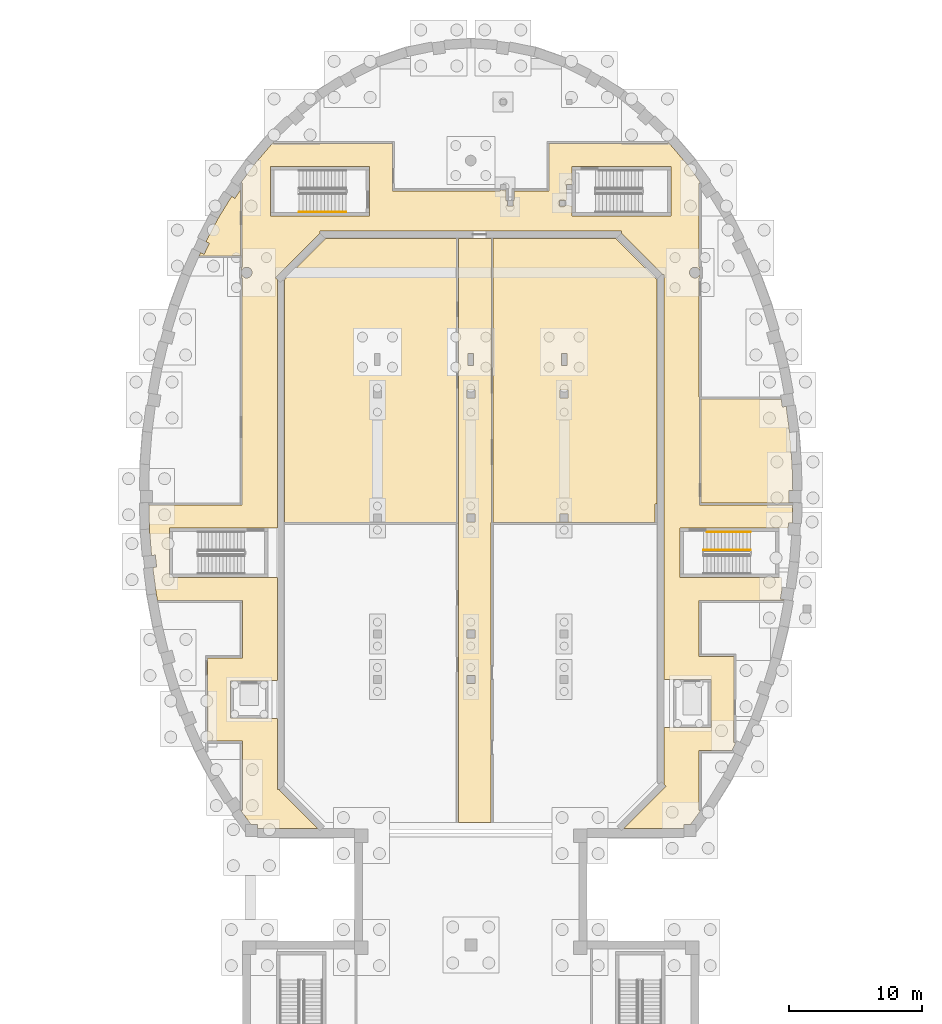
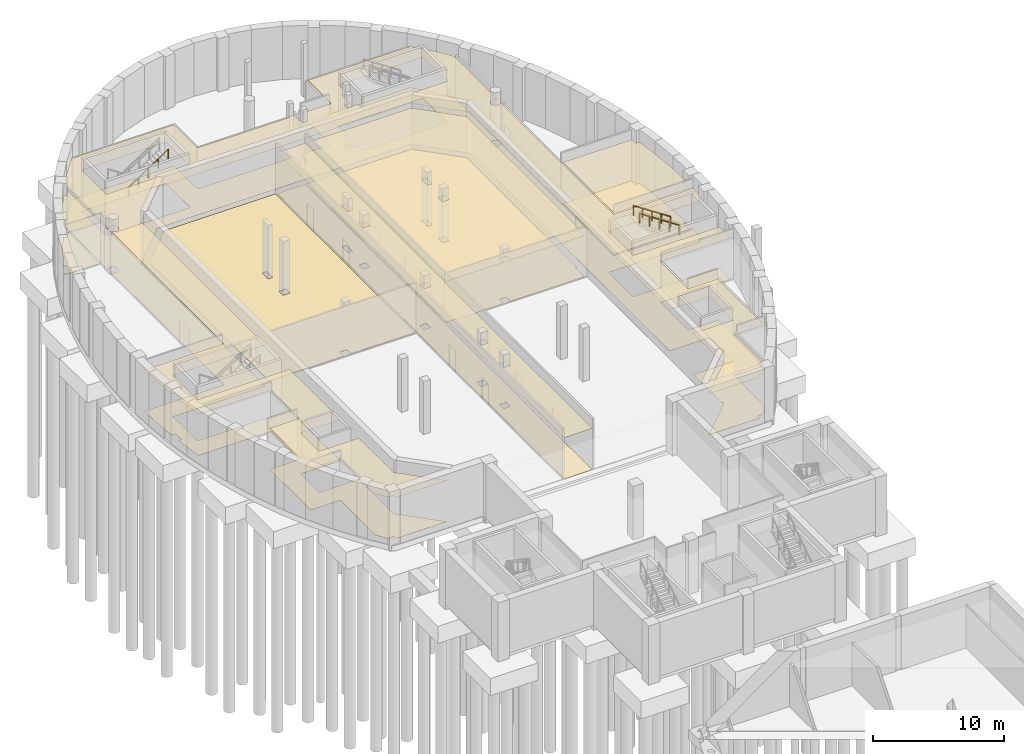
# One storey, part 30 of 33: 11 coverings, 3 railings.
"""IFC4 building model written with IfcOpenShell, lengths in metres."""

from ifc_helpers import new_model, si_unit, direction, frame, origin, origin_2d, place, context, subcontext, project, spatial, polyline, circle, outline, extrude, material, layer, layer_set, type_object, element, save


model = new_model("IFC4")

# Units and contexts
model_context = context("Model", 3, precision=1e-05, world=origin(), true_north=direction((0.0, 1.0)))
body_context = subcontext(model_context, "Body", "Model", "MODEL_VIEW")
ifc_project = project(units=[si_unit("LENGTHUNIT", "METRE"), si_unit("AREAUNIT", "SQUARE_METRE"), si_unit("VOLUMEUNIT", "CUBIC_METRE"), si_unit("PLANEANGLEUNIT", "RADIAN"), si_unit("MASSUNIT", "GRAM", prefix="KILO")], contexts=[model_context])

# Site, building, storey
site_placement = place(None, origin())
site = spatial("IfcSite", under=ifc_project, at=site_placement, CompositionType="ELEMENT")
building_placement = place(site_placement, origin())
building = spatial("IfcBuilding", under=site, at=building_placement, Name="Larchfold Concert Hall", CompositionType="ELEMENT")
storey_placement = place(building_placement, frame((0.0, 0.0, -5.0)))
storey = spatial("IfcBuildingStorey", under=building, at=storey_placement, Name="B1", CompositionType="ELEMENT", Elevation=-5.0)

# Coverings
ifc_material_1 = material(Name="Mineral fibre ceiling tile")
ifc_layer_1 = layer(ifc_material_1, 0.02001953125)
ifc_layer_set_1 = layer_set([ifc_layer_1], Name="Mineral fibre ceiling tile")
covering_type_1 = type_object("IfcCoveringType", Name="Ceiling mineral fibre tile 20", PredefinedType="CEILING", material=ifc_layer_set_1)
covering_1_placement = place(storey_placement, frame((0.0, 0.0, 3.830078125)))
element("IfcCovering", 1, at=covering_1_placement, inside=storey, type_object=covering_type_1, Name="Ceiling Hall Service Spine", PredefinedType="CEILING", context=body_context, shape_type="SweptSolid", body=[
    extrude(outline(polyline([(41.675048828125, 60.199951171875), (44.125, 60.199951171875), (44.125, 82.675048828125), (44.137451171875, 82.675048828125), (44.137451171875, 103.949951171875), (41.675048828125, 103.949951171875), (41.675048828125, 60.199951171875)]), holes=[polyline([(42.300048828125, 71.199951171875), (42.900146484375, 71.199951171875), (42.900146484375, 70.599853515625), (42.300048828125, 70.599853515625), (42.300048828125, 71.199951171875)]), polyline([(42.300048828125, 74.60009765625), (42.900146484375, 74.60009765625), (42.900146484375, 74.0), (42.300048828125, 74.0), (42.300048828125, 74.60009765625)]), polyline([(42.300048828125, 83.300048828125), (42.900146484375, 83.300048828125), (42.900146484375, 82.699951171875), (42.300048828125, 82.699951171875), (42.300048828125, 83.300048828125)]), polyline([(42.300048828125, 92.60009765625), (42.900146484375, 92.60009765625), (42.900146484375, 92.0), (42.300048828125, 92.0), (42.300048828125, 92.60009765625)]), polyline([(42.400146484375, 95.349853515625), (42.800048828125, 95.349853515625), (42.800048828125, 94.449951171875), (42.400146484375, 94.449951171875), (42.400146484375, 95.349853515625)])]), origin(), (0.0, 0.0, 1.0), 0.02001953125),
])
covering_2_placement = place(storey_placement, frame((0.0, 0.0, 3.830078125)))
element("IfcCovering", 2, at=covering_2_placement, inside=storey, type_object=covering_type_1, Name="Ceiling Public Toilets 02", PredefinedType="CEILING", context=body_context, shape_type="SweptSolid", body=[
    extrude(outline(polyline([(65.865478515625, 91.925048828125), (59.862548828125, 91.925048828125), (59.862548828125, 84.112548828125), (66.736083984375, 84.112548828125), (66.736083984375, 84.06591796875), (66.73828125, 84.150146484375), (66.4501953125, 84.150146484375), (66.4501953125, 85.050048828125), (66.73828125, 85.050048828125), (66.687744140625, 87.015625), (66.500244140625, 89.42431640625), (66.24560546875, 91.3720703125), (65.961181640625, 91.3271484375), (65.865478515625, 91.93310546875), (65.865478515625, 91.925048828125)])), origin(), (0.0, 0.0, 1.0), 0.02001953125),
])
covering_3_placement = place(storey_placement, frame((0.0, 0.0, 3.830078125)))
element("IfcCovering", 3, at=covering_3_placement, inside=storey, type_object=covering_type_1, Name="Ceiling Public Toilets", PredefinedType="CEILING", context=body_context, shape_type="SweptSolid", body=[
    extrude(outline(polyline([(25.33740234375, 102.650146484375), (25.33740234375, 107.599853515625), (24.912841796875, 106.963623046875), (24.67724609375, 107.120849609375), (23.65283203125, 105.456298828125), (22.74365234375, 103.716552734375), (23.000244140625, 103.59326171875), (22.6103515625, 102.781982421875), (22.353271484375, 102.905517578125), (22.240234375, 102.650146484375), (25.33740234375, 102.650146484375)])), origin(), (0.0, 0.0, 1.0), 0.02001953125),
])
covering_4_placement = place(storey_placement, frame((0.0, 0.0, 3.830078125)))
element("IfcCovering", 4, at=covering_4_placement, inside=storey, type_object=covering_type_1, Name="Ceiling Service Corridor 01", PredefinedType="CEILING", context=body_context, shape_type="SweptSolid", body=[
    extrude(outline(polyline([(22.801025390625, 72.525146484375), (22.875, 72.52490234375), (22.875, 66.27490234375), (25.47509765625, 66.27490234375), (25.474853515625, 61.3984375), (25.4970703125, 61.36572265625), (25.474853515625, 61.350830078125), (25.474853515625, 61.110107421875), (25.39990234375, 61.110107421875), (25.39990234375, 61.02099609375), (26.11083984375, 60.0498046875), (26.60302734375, 60.0498046875), (26.60302734375, 59.75), (31.096435546875, 59.75), (28.24609375, 62.600341796875), (28.29443359375, 62.648681640625), (28.10009765625, 62.648681640625), (28.10009765625, 67.991943359375), (24.60009765625, 68.0), (24.60009765625, 70.800048828125), (28.10009765625, 70.80810546875), (28.10009765625, 78.5419921875), (20.0, 78.550048828125), (20.0, 82.25), (28.10009765625, 82.258056640625), (28.10009765625, 100.878662109375), (27.962646484375, 101.01611328125), (31.300048828125, 104.353515625), (31.300048828125, 104.5), (53.89990234375, 104.5), (53.89990234375, 104.353759765625), (56.9541015625, 101.299560546875), (56.92724609375, 101.272705078125), (56.948974609375, 101.251220703125), (57.10009765625, 101.251220703125), (57.10009765625, 70.907958984375), (60.60009765625, 70.89990234375), (60.60009765625, 67.300048828125), (57.10009765625, 67.2919921875), (57.10009765625, 63.050048828125), (57.0859375, 63.035888671875), (57.23779296875, 62.884033203125), (54.103759765625, 59.75), (58.59716796875, 59.75), (58.59716796875, 60.0498046875), (59.08935546875, 60.0498046875), (59.800048828125, 61.0205078125), (59.800048828125, 61.110107421875), (59.72509765625, 61.110107421875), (59.72509765625, 65.574951171875), (62.183349609375, 65.574951171875), (62.399169921875, 66.0205078125), (62.399169921875, 66.178955078125), (62.324951171875, 66.178955078125), (62.324951171875, 72.625), (59.72509765625, 72.625), (59.72509765625, 76.824951171875), (66.06201171875, 76.824951171875), (66.06201171875, 76.7509765625), (66.07080078125, 76.7509765625), (66.09765625, 76.89453125), (65.8134765625, 76.939697265625), (65.941162109375, 77.744140625), (65.908447265625, 77.743408203125), (65.890625, 77.754150390625), (65.87939453125, 78.56005859375), (65.699951171875, 78.559814453125), (65.699951171875, 78.550048828125), (58.300048828125, 78.550048828125), (58.300048828125, 82.25), (65.699951171875, 82.25), (66.39013671875, 82.237548828125), (66.410888671875, 82.635009765625), (66.69873046875, 82.6201171875), (66.734130859375, 83.987548828125), (59.737548828125, 83.987548828125), (59.737548828125, 92.074951171875), (59.72607421875, 92.074951171875), (59.7255859375, 100.97998046875), (59.7998046875, 100.97998046875), (59.7998046875, 101.39794921875), (59.786376953125, 101.29638671875), (59.76953125, 101.246826171875), (59.71728515625, 101.156494140625), (59.682861328125, 101.116943359375), (59.643310546875, 101.08251953125), (59.552978515625, 101.0302734375), (59.50341796875, 101.013427734375), (59.39990234375, 101.0), (59.29638671875, 101.013427734375), (59.246826171875, 101.0302734375), (59.156494140625, 101.08251953125), (59.116943359375, 101.116943359375), (59.08251953125, 101.156494140625), (59.0302734375, 101.246826171875), (59.00341796875, 101.34765625), (59.0, 101.39990234375), (59.00341796875, 101.4521484375), (59.0302734375, 101.552978515625), (59.08251953125, 101.643310546875), (59.116943359375, 101.682861328125), (59.156494140625, 101.71728515625), (59.246826171875, 101.76953125), (59.29638671875, 101.786376953125), (59.39990234375, 101.7998046875), (59.50341796875, 101.786376953125), (59.552978515625, 101.76953125), (59.643310546875, 101.71728515625), (59.682861328125, 101.682861328125), (59.71728515625, 101.643310546875), (59.76953125, 101.552978515625), (59.786376953125, 101.50341796875), (59.7998046875, 101.40185546875), (59.7998046875, 101.81982421875), (59.725341796875, 101.81982421875), (59.72509765625, 108.0869140625), (59.800048828125, 108.0869140625), (59.800048828125, 108.17626953125), (58.874267578125, 109.453857421875), (57.422119140625, 111.1494140625), (57.367919921875, 111.1494140625), (57.367919921875, 111.074951171875), (48.474853515625, 111.074951171875), (48.474853515625, 107.52490234375), (45.844970703125, 107.524169921875), (45.844970703125, 107.588134765625), (45.840087890625, 106.812255859375), (45.73828125, 106.81298828125), (45.73828125, 106.800048828125), (45.749755859375, 106.800048828125), (45.749755859375, 106.400146484375), (45.349853515625, 106.400146484375), (45.349853515625, 106.800048828125), (45.35986328125, 106.802734375), (45.255126953125, 106.802734375), (45.255126953125, 107.59912109375), (44.809326171875, 107.59912109375), (44.809326171875, 107.525146484375), (36.72509765625, 107.525146484375), (36.72509765625, 111.074951171875), (27.83203125, 111.074951171875), (27.83203125, 111.1494140625), (27.778076171875, 111.1494140625), (26.325927734375, 109.453857421875), (25.39990234375, 108.176025390625), (25.39990234375, 108.10595703125), (25.46240234375, 108.10595703125), (25.46142578125, 101.81982421875), (25.400146484375, 101.81982421875), (25.400146484375, 101.40185546875), (25.41357421875, 101.50341796875), (25.430419921875, 101.552978515625), (25.482666015625, 101.643310546875), (25.51708984375, 101.682861328125), (25.556640625, 101.71728515625), (25.64697265625, 101.76953125), (25.696533203125, 101.786376953125), (25.800048828125, 101.7998046875), (25.903564453125, 101.786376953125), (25.953125, 101.76953125), (26.04345703125, 101.71728515625), (26.0830078125, 101.682861328125), (26.117431640625, 101.643310546875), (26.169677734375, 101.552978515625), (26.1865234375, 101.50341796875), (26.199951171875, 101.39990234375), (26.1865234375, 101.29638671875), (26.169677734375, 101.246826171875), (26.117431640625, 101.156494140625), (26.0830078125, 101.116943359375), (26.04345703125, 101.08251953125), (25.953125, 101.0302734375), (25.903564453125, 101.013427734375), (25.800048828125, 101.0), (25.696533203125, 101.013427734375), (25.64697265625, 101.0302734375), (25.556640625, 101.08251953125), (25.51708984375, 101.116943359375), (25.482666015625, 101.156494140625), (25.430419921875, 101.246826171875), (25.41357421875, 101.29638671875), (25.400146484375, 101.39794921875), (25.400146484375, 100.97998046875), (25.461669921875, 100.97998046875), (25.46240234375, 83.987548828125), (18.466064453125, 83.987548828125), (18.51318359375, 82.169677734375), (18.667724609375, 80.1953125), (18.954345703125, 80.225341796875), (19.048095703125, 79.330322265625), (18.76171875, 79.30029296875), (19.020263671875, 77.335693359375), (19.129638671875, 76.7509765625), (19.137939453125, 76.7509765625), (19.137939453125, 76.824951171875), (25.47509765625, 76.824951171875), (25.474853515625, 72.52490234375), (22.801025390625, 72.525146484375)]), holes=[polyline([(50.175048828125, 108.001220703125), (50.199951171875, 108.00244140625), (50.199951171875, 109.35009765625), (57.60009765625, 109.35009765625), (57.60009765625, 105.64990234375), (50.199951171875, 105.64990234375), (50.199951171875, 106.41015625), (49.650146484375, 106.41357421875), (49.650146484375, 106.400146484375), (49.250244140625, 106.400146484375), (49.250244140625, 106.800048828125), (49.650146484375, 106.800048828125), (49.650146484375, 106.7900390625), (49.784912109375, 106.798095703125), (49.78857421875, 107.612548828125), (49.775146484375, 107.612548828125), (49.775146484375, 108.012451171875), (50.175048828125, 108.012451171875), (50.175048828125, 108.001220703125)]), polyline([(27.60009765625, 105.64990234375), (27.60009765625, 109.34423828125), (27.60595703125, 109.35009765625), (35.0, 109.35009765625), (35.0, 105.64990234375), (27.60009765625, 105.64990234375)])]), origin(), (0.0, 0.0, 1.0), 0.02001953125),
])
ifc_material_2 = material(Name="Plasterboard ceiling lining")
ifc_layer_2 = layer(ifc_material_2, 0.030029296875)
ifc_layer_set_2 = layer_set([ifc_layer_2], Name="Plasterboard ceiling lining")
covering_type_2 = type_object("IfcCoveringType", Name="Ceiling suspended plasterboard 30", PredefinedType="CEILING", material=ifc_layer_set_2)
covering_5_placement = place(storey_placement, frame((0.0, 0.0, 3.820068359375)))
element("IfcCovering", 5, at=covering_5_placement, inside=storey, type_object=covering_type_2, Name="Ceiling Instrument Workshop", PredefinedType="CEILING", context=body_context, shape_type="SweptSolid", body=[
    extrude(outline(polyline([(56.5, 82.673828125), (56.41650390625, 82.674560546875), (56.426025390625, 84.049560546875), (56.550048828125, 84.050048828125), (56.550048828125, 100.872314453125), (53.47216796875, 103.949951171875), (44.262451171875, 103.949951171875), (44.262451171875, 82.675048828125), (56.5, 82.673828125)]), holes=[polyline([(49.900146484375, 83.300048828125), (49.900146484375, 82.699951171875), (49.300048828125, 82.699951171875), (49.300048828125, 83.300048828125), (49.900146484375, 83.300048828125)]), polyline([(49.900146484375, 92.60009765625), (49.900146484375, 92.0), (49.300048828125, 92.0), (49.300048828125, 92.60009765625), (49.900146484375, 92.60009765625)]), polyline([(49.400146484375, 95.349853515625), (49.800048828125, 95.349853515625), (49.800048828125, 94.449951171875), (49.400146484375, 94.449951171875), (49.400146484375, 95.349853515625)])]), origin(), (0.0, 0.0, 1.0), 0.030029296875),
])
ifc_material_3 = material(Name="Ceramic tile")
ifc_layer_3 = layer(ifc_material_3, 0.030029296875)
ifc_layer_set_3 = layer_set([ifc_layer_3], Name="Ceramic tile")
covering_type_3 = type_object("IfcCoveringType", Name="Floor finish ceramic tile 30", PredefinedType="FLOORING", material=ifc_layer_set_3)
covering_6_placement = place(storey_placement, origin())
element("IfcCovering", 6, at=covering_6_placement, inside=storey, type_object=covering_type_3, Name="Floor finish Public Toilets 02", PredefinedType="FLOORING", context=body_context, shape_type="SweptSolid", body=[
    extrude(outline(polyline([(65.865478515625, 91.925048828125), (59.862548828125, 91.925048828125), (59.862548828125, 84.112548828125), (66.736083984375, 84.112548828125), (66.736083984375, 84.06591796875), (66.73828125, 84.150146484375), (66.4501953125, 84.150146484375), (66.4501953125, 85.050048828125), (66.73828125, 85.050048828125), (66.687744140625, 87.015625), (66.500244140625, 89.42431640625), (66.24560546875, 91.3720703125), (65.961181640625, 91.3271484375), (65.865478515625, 91.93310546875), (65.865478515625, 91.925048828125)])), origin(), (0.0, 0.0, 1.0), 0.030029296875),
])
covering_7_placement = place(storey_placement, origin())
element("IfcCovering", 7, at=covering_7_placement, inside=storey, type_object=covering_type_3, Name="Floor finish Public Toilets", PredefinedType="FLOORING", context=body_context, shape_type="SweptSolid", body=[
    extrude(outline(polyline([(25.33740234375, 102.650146484375), (25.33740234375, 107.599853515625), (24.912841796875, 106.963623046875), (24.67724609375, 107.120849609375), (23.65283203125, 105.456298828125), (22.74365234375, 103.716552734375), (23.000244140625, 103.59326171875), (22.6103515625, 102.781982421875), (22.353271484375, 102.905517578125), (22.240234375, 102.650146484375), (25.33740234375, 102.650146484375)])), origin(), (0.0, 0.0, 1.0), 0.030029296875),
])
ifc_material_4 = material(Name="Sealed cement screed")
ifc_layer_4 = layer(ifc_material_4, 0.050048828125)
ifc_layer_set_4 = layer_set([ifc_layer_4], Name="Sealed cement screed")
covering_type_4 = type_object("IfcCoveringType", Name="Floor finish sealed screed 50", PredefinedType="FLOORING", material=ifc_layer_set_4)
covering_8_placement = place(storey_placement, origin())
element("IfcCovering", 8, at=covering_8_placement, inside=storey, type_object=covering_type_4, Name="Floor finish Hall Plant Room 02", PredefinedType="FLOORING", context=body_context, shape_type="SweptSolid", body=[
    extrude(outline(polyline([(28.650146484375, 100.872314453125), (28.650146484375, 82.677978515625), (41.52490234375, 82.675048828125), (41.525146484375, 82.60009765625), (41.525146484375, 103.949951171875), (31.727783203125, 103.949951171875), (28.650146484375, 100.872314453125)]), holes=[polyline([(35.900146484375, 83.300048828125), (35.900146484375, 82.699951171875), (35.300048828125, 82.699951171875), (35.300048828125, 83.300048828125), (35.900146484375, 83.300048828125)]), polyline([(35.900146484375, 92.60009765625), (35.900146484375, 92.0), (35.300048828125, 92.0), (35.300048828125, 92.60009765625), (35.900146484375, 92.60009765625)]), polyline([(35.400146484375, 95.349853515625), (35.800048828125, 95.349853515625), (35.800048828125, 94.449951171875), (35.400146484375, 94.449951171875), (35.400146484375, 95.349853515625)])]), origin(), (0.0, 0.0, 1.0), 0.050048828125),
])
ifc_material_5 = material(Name="Linoleum sheet")
ifc_layer_5 = layer(ifc_material_5, 0.02001953125)
ifc_layer_set_5 = layer_set([ifc_layer_5], Name="Linoleum sheet")
covering_type_5 = type_object("IfcCoveringType", Name="Floor finish vinyl 20", PredefinedType="FLOORING", material=ifc_layer_set_5)
covering_9_placement = place(storey_placement, origin())
element("IfcCovering", 9, at=covering_9_placement, inside=storey, type_object=covering_type_5, Name="Floor finish Hall Service Spine", PredefinedType="FLOORING", context=body_context, shape_type="SweptSolid", body=[
    extrude(outline(polyline([(41.675048828125, 60.199951171875), (44.125, 60.199951171875), (44.125, 82.675048828125), (44.137451171875, 82.675048828125), (44.137451171875, 103.949951171875), (41.675048828125, 103.949951171875), (41.675048828125, 60.199951171875)]), holes=[polyline([(42.300048828125, 71.199951171875), (42.900146484375, 71.199951171875), (42.900146484375, 70.599853515625), (42.300048828125, 70.599853515625), (42.300048828125, 71.199951171875)]), polyline([(42.300048828125, 74.60009765625), (42.900146484375, 74.60009765625), (42.900146484375, 74.0), (42.300048828125, 74.0), (42.300048828125, 74.60009765625)]), polyline([(42.300048828125, 83.300048828125), (42.900146484375, 83.300048828125), (42.900146484375, 82.699951171875), (42.300048828125, 82.699951171875), (42.300048828125, 83.300048828125)]), polyline([(42.300048828125, 92.60009765625), (42.900146484375, 92.60009765625), (42.900146484375, 92.0), (42.300048828125, 92.0), (42.300048828125, 92.60009765625)]), polyline([(42.400146484375, 95.349853515625), (42.800048828125, 95.349853515625), (42.800048828125, 94.449951171875), (42.400146484375, 94.449951171875), (42.400146484375, 95.349853515625)])]), origin(), (0.0, 0.0, 1.0), 0.02001953125),
])
covering_10_placement = place(storey_placement, origin())
element("IfcCovering", 10, at=covering_10_placement, inside=storey, type_object=covering_type_5, Name="Floor finish Instrument Workshop", PredefinedType="FLOORING", context=body_context, shape_type="SweptSolid", body=[
    extrude(outline(polyline([(56.5, 82.673828125), (56.41650390625, 82.674560546875), (56.426025390625, 84.049560546875), (56.550048828125, 84.050048828125), (56.550048828125, 100.872314453125), (53.47216796875, 103.949951171875), (44.262451171875, 103.949951171875), (44.262451171875, 82.675048828125), (56.5, 82.673828125)]), holes=[polyline([(49.900146484375, 83.300048828125), (49.900146484375, 82.699951171875), (49.300048828125, 82.699951171875), (49.300048828125, 83.300048828125), (49.900146484375, 83.300048828125)]), polyline([(49.900146484375, 92.60009765625), (49.900146484375, 92.0), (49.300048828125, 92.0), (49.300048828125, 92.60009765625), (49.900146484375, 92.60009765625)]), polyline([(49.400146484375, 95.349853515625), (49.800048828125, 95.349853515625), (49.800048828125, 94.449951171875), (49.400146484375, 94.449951171875), (49.400146484375, 95.349853515625)])]), origin(), (0.0, 0.0, 1.0), 0.02001953125),
])
covering_11_placement = place(storey_placement, origin())
element("IfcCovering", 11, at=covering_11_placement, inside=storey, type_object=covering_type_5, Name="Floor finish Service Corridor 01", PredefinedType="FLOORING", context=body_context, shape_type="SweptSolid", body=[
    extrude(outline(polyline([(22.801025390625, 72.525146484375), (22.875, 72.52490234375), (22.875, 66.27490234375), (25.47509765625, 66.27490234375), (25.474853515625, 61.3984375), (25.4970703125, 61.36572265625), (25.474853515625, 61.350830078125), (25.474853515625, 61.110107421875), (25.39990234375, 61.110107421875), (25.39990234375, 61.02099609375), (26.11083984375, 60.0498046875), (26.60302734375, 60.0498046875), (26.60302734375, 59.75), (31.096435546875, 59.75), (28.24609375, 62.600341796875), (28.29443359375, 62.648681640625), (28.10009765625, 62.648681640625), (28.10009765625, 67.991943359375), (24.60009765625, 68.0), (24.60009765625, 70.800048828125), (28.10009765625, 70.80810546875), (28.10009765625, 78.5419921875), (20.0, 78.550048828125), (20.0, 82.25), (28.10009765625, 82.258056640625), (28.10009765625, 100.878662109375), (27.962646484375, 101.01611328125), (31.300048828125, 104.353515625), (31.300048828125, 104.5), (53.89990234375, 104.5), (53.89990234375, 104.353759765625), (56.9541015625, 101.299560546875), (56.92724609375, 101.272705078125), (56.948974609375, 101.251220703125), (57.10009765625, 101.251220703125), (57.10009765625, 70.907958984375), (60.60009765625, 70.89990234375), (60.60009765625, 67.300048828125), (57.10009765625, 67.2919921875), (57.10009765625, 63.050048828125), (57.0859375, 63.035888671875), (57.23779296875, 62.884033203125), (54.103759765625, 59.75), (58.59716796875, 59.75), (58.59716796875, 60.0498046875), (59.08935546875, 60.0498046875), (59.800048828125, 61.0205078125), (59.800048828125, 61.110107421875), (59.72509765625, 61.110107421875), (59.72509765625, 65.574951171875), (62.183349609375, 65.574951171875), (62.399169921875, 66.0205078125), (62.399169921875, 66.178955078125), (62.324951171875, 66.178955078125), (62.324951171875, 72.625), (59.72509765625, 72.625), (59.72509765625, 76.824951171875), (66.06201171875, 76.824951171875), (66.06201171875, 76.7509765625), (66.07080078125, 76.7509765625), (66.09765625, 76.89453125), (65.8134765625, 76.939697265625), (65.941162109375, 77.744140625), (65.908447265625, 77.743408203125), (65.890625, 77.754150390625), (65.87939453125, 78.56005859375), (65.699951171875, 78.559814453125), (65.699951171875, 78.550048828125), (58.300048828125, 78.550048828125), (58.300048828125, 82.25), (65.699951171875, 82.25), (66.39013671875, 82.237548828125), (66.410888671875, 82.635009765625), (66.69873046875, 82.6201171875), (66.734130859375, 83.987548828125), (59.737548828125, 83.987548828125), (59.737548828125, 92.074951171875), (59.72607421875, 92.074951171875), (59.7255859375, 100.97998046875), (59.7998046875, 100.97998046875), (59.7998046875, 101.39794921875), (59.786376953125, 101.29638671875), (59.76953125, 101.246826171875), (59.71728515625, 101.156494140625), (59.682861328125, 101.116943359375), (59.643310546875, 101.08251953125), (59.552978515625, 101.0302734375), (59.50341796875, 101.013427734375), (59.39990234375, 101.0), (59.29638671875, 101.013427734375), (59.246826171875, 101.0302734375), (59.156494140625, 101.08251953125), (59.116943359375, 101.116943359375), (59.08251953125, 101.156494140625), (59.0302734375, 101.246826171875), (59.00341796875, 101.34765625), (59.0, 101.39990234375), (59.00341796875, 101.4521484375), (59.0302734375, 101.552978515625), (59.08251953125, 101.643310546875), (59.116943359375, 101.682861328125), (59.156494140625, 101.71728515625), (59.246826171875, 101.76953125), (59.29638671875, 101.786376953125), (59.39990234375, 101.7998046875), (59.50341796875, 101.786376953125), (59.552978515625, 101.76953125), (59.643310546875, 101.71728515625), (59.682861328125, 101.682861328125), (59.71728515625, 101.643310546875), (59.76953125, 101.552978515625), (59.786376953125, 101.50341796875), (59.7998046875, 101.40185546875), (59.7998046875, 101.81982421875), (59.725341796875, 101.81982421875), (59.72509765625, 108.0869140625), (59.800048828125, 108.0869140625), (59.800048828125, 108.17626953125), (58.874267578125, 109.453857421875), (57.422119140625, 111.1494140625), (57.367919921875, 111.1494140625), (57.367919921875, 111.074951171875), (48.474853515625, 111.074951171875), (48.474853515625, 107.52490234375), (45.844970703125, 107.524169921875), (45.844970703125, 107.588134765625), (45.840087890625, 106.812255859375), (45.73828125, 106.81298828125), (45.73828125, 106.800048828125), (45.749755859375, 106.800048828125), (45.749755859375, 106.400146484375), (45.349853515625, 106.400146484375), (45.349853515625, 106.800048828125), (45.35986328125, 106.802734375), (45.255126953125, 106.802734375), (45.255126953125, 107.59912109375), (44.809326171875, 107.59912109375), (44.809326171875, 107.525146484375), (36.72509765625, 107.525146484375), (36.72509765625, 111.074951171875), (27.83203125, 111.074951171875), (27.83203125, 111.1494140625), (27.778076171875, 111.1494140625), (26.325927734375, 109.453857421875), (25.39990234375, 108.176025390625), (25.39990234375, 108.10595703125), (25.46240234375, 108.10595703125), (25.46142578125, 101.81982421875), (25.400146484375, 101.81982421875), (25.400146484375, 101.40185546875), (25.41357421875, 101.50341796875), (25.430419921875, 101.552978515625), (25.482666015625, 101.643310546875), (25.51708984375, 101.682861328125), (25.556640625, 101.71728515625), (25.64697265625, 101.76953125), (25.696533203125, 101.786376953125), (25.800048828125, 101.7998046875), (25.903564453125, 101.786376953125), (25.953125, 101.76953125), (26.04345703125, 101.71728515625), (26.0830078125, 101.682861328125), (26.117431640625, 101.643310546875), (26.169677734375, 101.552978515625), (26.1865234375, 101.50341796875), (26.199951171875, 101.39990234375), (26.1865234375, 101.29638671875), (26.169677734375, 101.246826171875), (26.117431640625, 101.156494140625), (26.0830078125, 101.116943359375), (26.04345703125, 101.08251953125), (25.953125, 101.0302734375), (25.903564453125, 101.013427734375), (25.800048828125, 101.0), (25.696533203125, 101.013427734375), (25.64697265625, 101.0302734375), (25.556640625, 101.08251953125), (25.51708984375, 101.116943359375), (25.482666015625, 101.156494140625), (25.430419921875, 101.246826171875), (25.41357421875, 101.29638671875), (25.400146484375, 101.39794921875), (25.400146484375, 100.97998046875), (25.461669921875, 100.97998046875), (25.46240234375, 83.987548828125), (18.466064453125, 83.987548828125), (18.51318359375, 82.169677734375), (18.667724609375, 80.1953125), (18.954345703125, 80.225341796875), (19.048095703125, 79.330322265625), (18.76171875, 79.30029296875), (19.020263671875, 77.335693359375), (19.129638671875, 76.7509765625), (19.137939453125, 76.7509765625), (19.137939453125, 76.824951171875), (25.47509765625, 76.824951171875), (25.474853515625, 72.52490234375), (22.801025390625, 72.525146484375)]), holes=[polyline([(50.175048828125, 108.001220703125), (50.199951171875, 108.00244140625), (50.199951171875, 109.35009765625), (57.60009765625, 109.35009765625), (57.60009765625, 105.64990234375), (50.199951171875, 105.64990234375), (50.199951171875, 106.41015625), (49.650146484375, 106.41357421875), (49.650146484375, 106.400146484375), (49.250244140625, 106.400146484375), (49.250244140625, 106.800048828125), (49.650146484375, 106.800048828125), (49.650146484375, 106.7900390625), (49.784912109375, 106.798095703125), (49.78857421875, 107.612548828125), (49.775146484375, 107.612548828125), (49.775146484375, 108.012451171875), (50.175048828125, 108.012451171875), (50.175048828125, 108.001220703125)]), polyline([(27.60009765625, 105.64990234375), (27.60009765625, 109.34423828125), (27.60595703125, 109.35009765625), (35.0, 109.35009765625), (35.0, 105.64990234375), (27.60009765625, 105.64990234375)])]), origin(), (0.0, 0.0, 1.0), 0.02001953125),
])

# Railings
ifc_material_6 = material(Name="Stainless steel handrail", Category="steel")
railing_type = type_object("IfcRailingType", Name="Stair handrail 900", PredefinedType="HANDRAIL", material=ifc_material_6)
railing_1_placement = place(storey_placement, frame((29.739990234375, 105.9501953125, 2.678466796875)))
element("IfcRailing", 12, at=railing_1_placement, inside=storey, type_object=railing_type, Name="Handrail HR0006", PredefinedType="HANDRAIL", context=body_context, shape_type="SweptSolid", body=[
    extrude(circle(Radius=0.02392578125, at=origin_2d()), frame((0.0, 0.0, 0.8759765625), z_axis=(0.834070780157, 0.0, 0.551657442339), x_axis=(0.0, 1.0, 0.0)), (0.0, 0.0, 1.0), 4.208251953125),
    extrude(circle(Radius=0.02099609375, at=origin_2d()), origin(), (0.0, 0.0, 1.0), 0.851806640625),
    extrude(circle(Radius=0.02099609375, at=origin_2d()), frame((0.87744140625, 0.0, 0.580322265625)), (0.0, 0.0, 1.0), 0.851806640625),
    extrude(circle(Radius=0.02099609375, at=origin_2d()), frame((1.7548828125, 0.0, 1.16064453125)), (0.0, 0.0, 1.0), 0.851806640625),
    extrude(circle(Radius=0.02099609375, at=origin_2d()), frame((2.632568359375, 0.0, 1.7412109375)), (0.0, 0.0, 1.0), 0.851806640625),
    extrude(circle(Radius=0.02099609375, at=origin_2d()), frame((3.510009765625, 0.0, 2.321533203125)), (0.0, 0.0, 1.0), 0.851806640625),
])
railing_2_placement = place(storey_placement, frame((63.56005859375, 81.949951171875, 2.678466796875)))
element("IfcRailing", 13, at=railing_2_placement, inside=storey, type_object=railing_type, Name="Handrail HR0014", PredefinedType="HANDRAIL", context=body_context, shape_type="SweptSolid", body=[
    extrude(circle(Radius=0.02392578125, at=origin_2d()), frame((0.0, 0.0, 0.8759765625), z_axis=(-0.834062809851, 0.0, 0.551669492743), x_axis=(0.0, -1.0, 0.0)), (0.0, 0.0, 1.0), 3.90869140625),
    extrude(circle(Radius=0.02099609375, at=origin_2d()), origin(), (0.0, 0.0, 1.0), 0.851806640625),
    extrude(circle(Radius=0.02099609375, at=origin_2d()), frame((-0.81494140625, 0.0, 0.5390625)), (0.0, 0.0, 1.0), 0.851806640625),
    extrude(circle(Radius=0.02099609375, at=origin_2d()), frame((-1.6298828125, 0.0, 1.078125)), (0.0, 0.0, 1.0), 0.851806640625),
    extrude(circle(Radius=0.02099609375, at=origin_2d()), frame((-2.445068359375, 0.0, 1.6171875)), (0.0, 0.0, 1.0), 0.851806640625),
    extrude(circle(Radius=0.02099609375, at=origin_2d()), frame((-3.260009765625, 0.0, 2.15625)), (0.0, 0.0, 1.0), 0.851806640625),
])
railing_3_placement = place(storey_placement, frame((63.56005859375, 80.6201171875, 2.678466796875)))
element("IfcRailing", 14, at=railing_3_placement, inside=storey, type_object=railing_type, Name="Handrail HR0016", PredefinedType="HANDRAIL", context=body_context, shape_type="SweptSolid", body=[
    extrude(circle(Radius=0.02392578125, at=origin_2d()), frame((0.0, 0.0, 0.8759765625), z_axis=(-0.834070780157, 0.0, 0.551657442339), x_axis=(0.0, -1.0, 0.0)), (0.0, 0.0, 1.0), 4.208251953125),
    extrude(circle(Radius=0.02099609375, at=origin_2d()), origin(), (0.0, 0.0, 1.0), 0.851806640625),
    extrude(circle(Radius=0.02099609375, at=origin_2d()), frame((-0.87744140625, 0.0, 0.580322265625)), (0.0, 0.0, 1.0), 0.851806640625),
    extrude(circle(Radius=0.02099609375, at=origin_2d()), frame((-1.7548828125, 0.0, 1.16064453125)), (0.0, 0.0, 1.0), 0.851806640625),
    extrude(circle(Radius=0.02099609375, at=origin_2d()), frame((-2.632568359375, 0.0, 1.7412109375)), (0.0, 0.0, 1.0), 0.851806640625),
    extrude(circle(Radius=0.02099609375, at=origin_2d()), frame((-3.510009765625, 0.0, 2.321533203125)), (0.0, 0.0, 1.0), 0.851806640625),
])

save(model, "model.ifc")
